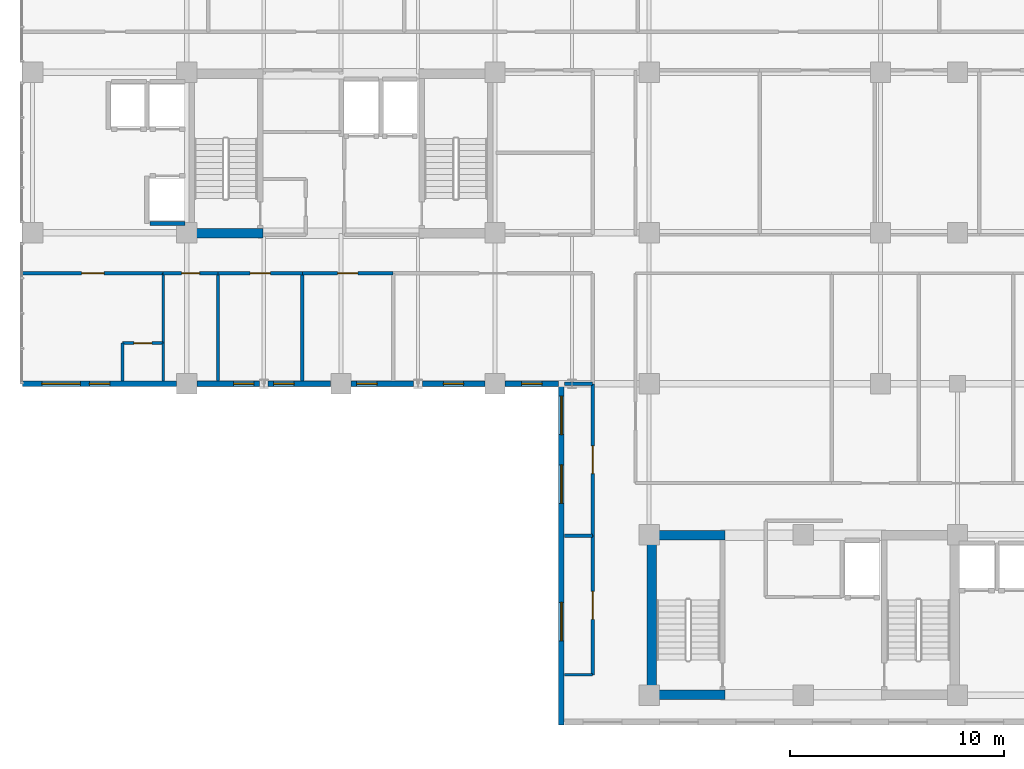
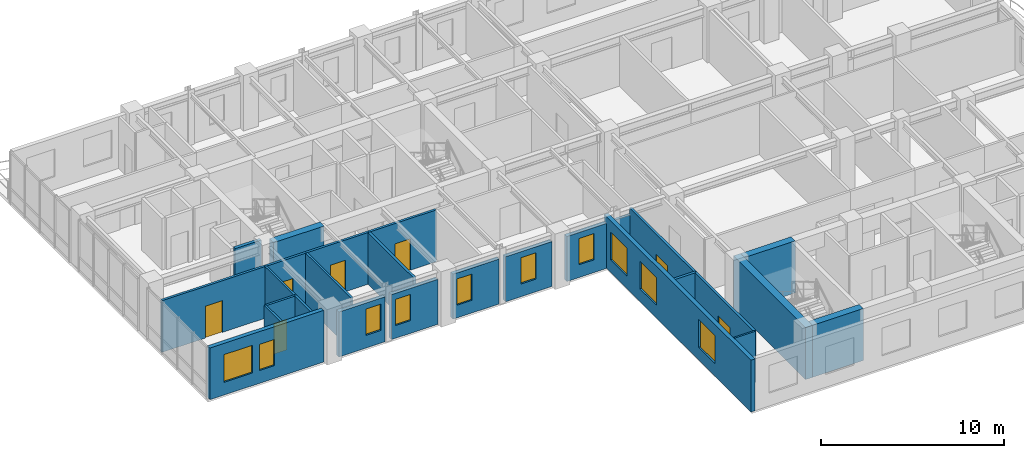
# One storey, part 12 of 20: 27 walls, 10 windows, 7 doors, 17 openings.
"""IFC4 building model written with IfcOpenShell, lengths in metres."""

from ifc_helpers import new_model, si_unit, direction, frame, frame_2d, origin, place, context, subcontext, project, spatial, rectangle, extrude, material, layer, layer_set, type_object, element, fill, save


model = new_model("IFC4")

# Units and contexts
model_context = context("Model", 3, precision=1e-05, world=origin(), true_north=direction((0.0, 1.0)))
body_context = subcontext(model_context, "Body", "Model", "MODEL_VIEW")
ifc_project = project(units=[si_unit("LENGTHUNIT", "METRE"), si_unit("AREAUNIT", "SQUARE_METRE"), si_unit("VOLUMEUNIT", "CUBIC_METRE"), si_unit("PLANEANGLEUNIT", "RADIAN"), si_unit("MASSUNIT", "GRAM", prefix="KILO")], contexts=[model_context])

# Site, building, storey
site_placement = place(None, origin())
site = spatial("IfcSite", under=ifc_project, at=site_placement, CompositionType="ELEMENT")
building_placement = place(site_placement, origin())
building = spatial("IfcBuilding", under=site, at=building_placement, Name="Kaliganga Portal Commons", CompositionType="ELEMENT")
storey_placement = place(building_placement, frame((0.0, 0.0, 201.800048828125)))
storey = spatial("IfcBuildingStorey", under=building, at=storey_placement, Name="L51", CompositionType="ELEMENT", Elevation=201.800048828125)

# Walls
ifc_material_1 = material(Name="Concrete C60/75", Category="concrete")
ifc_layer_1 = layer(ifc_material_1, 0.449951171875)
ifc_layer_set_1 = layer_set([ifc_layer_1], Name="Concrete C60/75")
wall_type_1 = type_object("IfcWallType", Name="WL-CORE-450", PredefinedType="SHEAR", material=ifc_layer_set_1)
wall_1_placement = place(storey_placement, frame((14.75, 28.625, 0.0), z_axis=(0.0, 0.0, 1.0), x_axis=(1.0, 0.0, 0.0)))
element("IfcWall", 1, at=wall_1_placement, inside=storey, type_object=wall_type_1, Name="Core A S-West Shear Wall L51", PredefinedType="SHEAR", context=body_context, shape_type="SweptSolid", body=[
    extrude(rectangle(XDim=3.199951171875, YDim=0.449951171875, at=frame_2d((1.60009765625, 0.0))), origin(), (0.0, 0.0, 1.0), 3.469970703125),
])
wall_2_placement = place(storey_placement, frame((36.125, 6.85009765625, 0.0), z_axis=(0.0, 0.0, 1.0), x_axis=(0.0, 1.0, 0.0)))
element("IfcWall", 2, at=wall_2_placement, inside=storey, type_object=wall_type_1, Name="Core B West Shear Wall L51", PredefinedType="SHEAR", context=body_context, shape_type="SweptSolid", body=[
    extrude(rectangle(XDim=7.89990234375, YDim=0.449951171875, at=frame_2d((3.949951171875, 0.0))), origin(), (0.0, 0.0, 1.0), 3.469970703125),
])
for number, where, z_axis, x_axis, name in (
    (3, (36.35009765625, 7.074951171875, 0.0), (0.0, 0.0, 1.0), (1.0, 0.0, 0.0), "Core B S-West Shear Wall L51"),
    (4, (36.35009765625, 14.52490234375, 0.0), (0.0, 0.0, 1.0), (1.0, 0.0, 0.0), "Core B N-West Shear Wall L51"),
):
    element("IfcWall", number, at=place(storey_placement, frame(where, z_axis=z_axis, x_axis=x_axis)), inside=storey, type_object=wall_type_1, Name=name, PredefinedType="SHEAR", context=body_context, shape_type="SweptSolid", body=[
        extrude(rectangle(XDim=3.199951171875, YDim=0.449951171875, at=frame_2d((1.60009765625, 0.0))), origin(), (0.0, 0.0, 1.0), 3.469970703125),
    ])

# Wall, openings, windows
ifc_material_2 = material(Name="Insulated Aluminium-Clad Spandrel Assembly", Category="aluminium")
ifc_layer_2 = layer(ifc_material_2, 0.260009765625)
ifc_layer_set_2 = layer_set([ifc_layer_2], Name="Insulated Aluminium-Clad Spandrel Assembly")
wall_type_2 = type_object("IfcWallType", Name="WL-EXT-SPAND-260", PredefinedType="STANDARD", material=ifc_layer_set_2)
wall_3_placement = place(storey_placement, frame((13.924072265625, 21.60009765625, 0.0), z_axis=(0.0, 0.0, 1.0), x_axis=(-1.0, 0.0, 0.0)))
wall_3 = element("IfcWall", 5, at=wall_3_placement, inside=storey, type_object=wall_type_2, Name="Exterior Envelope Wall L51 P1-E04-S1", PredefinedType="STANDARD", context=body_context, shape_type="SweptSolid", body=[
    extrude(rectangle(XDim=7.18701171875, YDim=0.260009765625, at=frame_2d((3.593505859375, 0.0))), origin(), (0.0, 0.0, 1.0), 3.449951171875),
])
opening_1_placement = place(wall_3_placement, frame((4.490234375, 0.0, 0.85009765625)))
opening_1 = element("IfcOpeningElement", 6, at=opening_1_placement, cuts=wall_3, Name="Opening W-01", PredefinedType="OPENING", context=body_context, shape_type="SweptSolid", body=[
    extrude(rectangle(XDim=1.800048828125, YDim=1.85009765625, at=frame_2d((0.89990234375, 0.925048828125))), frame((0.0, 0.14013671875, 0.0), z_axis=(0.0, -1.0, 0.0), x_axis=(1.0, 0.0, 0.0)), (0.0, 0.0, 1.0), 0.280029296875),
])
opening_2_placement = place(wall_3_placement, frame((3.118408203125, 0.0, 0.85009765625)))
opening_2 = element("IfcOpeningElement", 7, at=opening_2_placement, cuts=wall_3, Name="Opening W-04", PredefinedType="OPENING", context=body_context, shape_type="SweptSolid", body=[
    extrude(rectangle(XDim=0.949951171875, YDim=1.75, at=frame_2d((0.47509765625, 0.875))), frame((0.0, 0.14013671875, 0.0), z_axis=(0.0, -1.0, 0.0), x_axis=(1.0, 0.0, 0.0)), (0.0, 0.0, 1.0), 0.280029296875),
])
ifc_material_3 = material(Name="Thermally Broken Aluminium and Low-E Double Glazing", Category="aluminium")
window_type_1 = type_object("IfcWindowType", Name="WIN-NARROW-950", PartitioningType="SINGLE_PANEL", PredefinedType="WINDOW", material=ifc_material_3)
window_1_placement = place(opening_2_placement, origin())
window_1 = element("IfcWindow", 8, at=window_1_placement, inside=storey, type_object=window_type_1, Name="Facade Window L51-P1E04S1-N0", OverallHeight=1.75, OverallWidth=0.949951171875, PartitioningType="SINGLE_PANEL", PredefinedType="WINDOW", context=body_context, shape_type="SweptSolid", body=[
    extrude(rectangle(XDim=0.949951171875, YDim=1.75, at=frame_2d((0.47509765625, 0.875))), frame((0.0, 0.030029296875, 0.0), z_axis=(0.0, -1.0, 0.0), x_axis=(1.0, 0.0, 0.0)), (0.0, 0.0, 1.0), 0.06005859375),
])
fill(opening_2, window_1)
window_type_2 = type_object("IfcWindowType", Name="WIN-STD-1800", PartitioningType="DOUBLE_PANEL_VERTICAL", PredefinedType="WINDOW", material=ifc_material_3)
window_2_placement = place(opening_1_placement, origin())
window_2 = element("IfcWindow", 9, at=window_2_placement, inside=storey, type_object=window_type_2, Name="Facade Window L51-P1E04S1-01", OverallHeight=1.85009765625, OverallWidth=1.800048828125, PartitioningType="SINGLE_PANEL", PredefinedType="WINDOW", context=body_context, shape_type="SweptSolid", body=[
    extrude(rectangle(XDim=1.800048828125, YDim=1.85009765625, at=frame_2d((0.89990234375, 0.925048828125))), frame((0.0, 0.030029296875, 0.0), z_axis=(0.0, -1.0, 0.0), x_axis=(1.0, 0.0, 0.0)), (0.0, 0.0, 1.0), 0.06005859375),
])
fill(opening_1, window_2)

# Wall, opening, window
wall_4_placement = place(storey_placement, frame((17.799560546875, 21.60009765625, 0.0), z_axis=(0.0, 0.0, 1.0), x_axis=(-1.0, 0.0, 0.0)))
wall_4 = element("IfcWall", 10, at=wall_4_placement, inside=storey, type_object=wall_type_2, Name="Exterior Envelope Wall L51 P1-E04-S2", PredefinedType="STANDARD", context=body_context, shape_type="SweptSolid", body=[
    extrude(rectangle(XDim=2.923583984375, YDim=0.260009765625, at=frame_2d((1.4619140625, 0.0))), origin(), (0.0, 0.0, 1.0), 3.0),
])
opening_3_placement = place(wall_4_placement, frame((0.26171875, 0.0, 0.85009765625)))
opening_3 = element("IfcOpeningElement", 11, at=opening_3_placement, cuts=wall_4, Name="Opening W-04", PredefinedType="OPENING", context=body_context, shape_type="SweptSolid", body=[
    extrude(rectangle(XDim=0.949951171875, YDim=1.75, at=frame_2d((0.47509765625, 0.875))), frame((0.0, 0.14013671875, 0.0), z_axis=(0.0, -1.0, 0.0), x_axis=(1.0, 0.0, 0.0)), (0.0, 0.0, 1.0), 0.280029296875),
])
window_3_placement = place(opening_3_placement, origin())
window_3 = element("IfcWindow", 12, at=window_3_placement, inside=storey, type_object=window_type_1, Name="Facade Window L51-P1E04S2-N1", OverallHeight=1.75, OverallWidth=0.949951171875, PartitioningType="SINGLE_PANEL", PredefinedType="WINDOW", context=body_context, shape_type="SweptSolid", body=[
    extrude(rectangle(XDim=0.949951171875, YDim=1.75, at=frame_2d((0.47509765625, 0.875))), frame((0.0, 0.030029296875, 0.0), z_axis=(0.0, -1.0, 0.0), x_axis=(1.0, 0.0, 0.0)), (0.0, 0.0, 1.0), 0.06005859375),
])
fill(opening_3, window_3)

wall_5_placement = place(storey_placement, frame((21.1240234375, 21.60009765625, 0.0), z_axis=(0.0, 0.0, 1.0), x_axis=(-1.0, 0.0, 0.0)))
wall_5 = element("IfcWall", 13, at=wall_5_placement, inside=storey, type_object=wall_type_2, Name="Exterior Envelope Wall L51 P1-E04-S3", PredefinedType="STANDARD", context=body_context, shape_type="SweptSolid", body=[
    extrude(rectangle(XDim=2.923583984375, YDim=0.260009765625, at=frame_2d((1.4619140625, 0.0))), origin(), (0.0, 0.0, 1.0), 3.0),
])
opening_4_placement = place(wall_5_placement, frame((1.7119140625, 0.0, 0.85009765625)))
opening_4 = element("IfcOpeningElement", 14, at=opening_4_placement, cuts=wall_5, Name="Opening W-04", PredefinedType="OPENING", context=body_context, shape_type="SweptSolid", body=[
    extrude(rectangle(XDim=0.949951171875, YDim=1.75, at=frame_2d((0.47509765625, 0.875))), frame((0.0, 0.14013671875, 0.0), z_axis=(0.0, -1.0, 0.0), x_axis=(1.0, 0.0, 0.0)), (0.0, 0.0, 1.0), 0.280029296875),
])
window_4_placement = place(opening_4_placement, origin())
window_4 = element("IfcWindow", 15, at=window_4_placement, inside=storey, type_object=window_type_1, Name="Facade Window L51-P1E04S3-N2", OverallHeight=1.75, OverallWidth=0.949951171875, PartitioningType="SINGLE_PANEL", PredefinedType="WINDOW", context=body_context, shape_type="SweptSolid", body=[
    extrude(rectangle(XDim=0.949951171875, YDim=1.75, at=frame_2d((0.47509765625, 0.875))), frame((0.0, 0.030029296875, 0.0), z_axis=(0.0, -1.0, 0.0), x_axis=(1.0, 0.0, 0.0)), (0.0, 0.0, 1.0), 0.06005859375),
])
fill(opening_4, window_4)

wall_6_placement = place(storey_placement, frame((24.99951171875, 21.60009765625, 0.0), z_axis=(0.0, 0.0, 1.0), x_axis=(-1.0, 0.0, 0.0)))
wall_6 = element("IfcWall", 16, at=wall_6_placement, inside=storey, type_object=wall_type_2, Name="Exterior Envelope Wall L51 P1-E04-S4", PredefinedType="STANDARD", context=body_context, shape_type="SweptSolid", body=[
    extrude(rectangle(XDim=2.923583984375, YDim=0.260009765625, at=frame_2d((1.4619140625, 0.0))), origin(), (0.0, 0.0, 1.0), 3.0),
])
opening_5_placement = place(wall_6_placement, frame((1.7119140625, 0.0, 0.85009765625)))
opening_5 = element("IfcOpeningElement", 17, at=opening_5_placement, cuts=wall_6, Name="Opening W-04", PredefinedType="OPENING", context=body_context, shape_type="SweptSolid", body=[
    extrude(rectangle(XDim=0.949951171875, YDim=1.75, at=frame_2d((0.47509765625, 0.875))), frame((0.0, 0.14013671875, 0.0), z_axis=(0.0, -1.0, 0.0), x_axis=(1.0, 0.0, 0.0)), (0.0, 0.0, 1.0), 0.280029296875),
])
window_5_placement = place(opening_5_placement, origin())
window_5 = element("IfcWindow", 18, at=window_5_placement, inside=storey, type_object=window_type_1, Name="Facade Window L51-P1E04S4-N2", OverallHeight=1.75, OverallWidth=0.949951171875, PartitioningType="SINGLE_PANEL", PredefinedType="WINDOW", context=body_context, shape_type="SweptSolid", body=[
    extrude(rectangle(XDim=0.949951171875, YDim=1.75, at=frame_2d((0.47509765625, 0.875))), frame((0.0, 0.030029296875, 0.0), z_axis=(0.0, -1.0, 0.0), x_axis=(1.0, 0.0, 0.0)), (0.0, 0.0, 1.0), 0.06005859375),
])
fill(opening_5, window_5)

wall_7_placement = place(storey_placement, frame((28.323974609375, 21.60009765625, 0.0), z_axis=(0.0, 0.0, 1.0), x_axis=(-1.0, 0.0, 0.0)))
wall_7 = element("IfcWall", 19, at=wall_7_placement, inside=storey, type_object=wall_type_2, Name="Exterior Envelope Wall L51 P1-E04-S5", PredefinedType="STANDARD", context=body_context, shape_type="SweptSolid", body=[
    extrude(rectangle(XDim=2.923583984375, YDim=0.260009765625, at=frame_2d((1.4619140625, 0.0))), origin(), (0.0, 0.0, 1.0), 3.0),
])
opening_6_placement = place(wall_7_placement, frame((0.98681640625, 0.0, 0.85009765625)))
opening_6 = element("IfcOpeningElement", 20, at=opening_6_placement, cuts=wall_7, Name="Opening W-04", PredefinedType="OPENING", context=body_context, shape_type="SweptSolid", body=[
    extrude(rectangle(XDim=0.949951171875, YDim=1.75, at=frame_2d((0.47509765625, 0.875))), frame((0.0, 0.14013671875, 0.0), z_axis=(0.0, -1.0, 0.0), x_axis=(1.0, 0.0, 0.0)), (0.0, 0.0, 1.0), 0.280029296875),
])
window_6_placement = place(opening_6_placement, origin())
window_6 = element("IfcWindow", 21, at=window_6_placement, inside=storey, type_object=window_type_1, Name="Facade Window L51-P1E04S5-00", OverallHeight=1.75, OverallWidth=0.949951171875, PartitioningType="SINGLE_PANEL", PredefinedType="WINDOW", context=body_context, shape_type="SweptSolid", body=[
    extrude(rectangle(XDim=0.949951171875, YDim=1.75, at=frame_2d((0.47509765625, 0.875))), frame((0.0, 0.030029296875, 0.0), z_axis=(0.0, -1.0, 0.0), x_axis=(1.0, 0.0, 0.0)), (0.0, 0.0, 1.0), 0.06005859375),
])
fill(opening_6, window_6)

wall_8_placement = place(storey_placement, frame((31.764892578125, 21.60009765625, 0.0), z_axis=(0.0, 0.0, 1.0), x_axis=(-1.0, 0.0, 0.0)))
wall_8 = element("IfcWall", 22, at=wall_8_placement, inside=storey, type_object=wall_type_2, Name="Exterior Envelope Wall L51 P1-E04-S6", PredefinedType="STANDARD", context=body_context, shape_type="SweptSolid", body=[
    extrude(rectangle(XDim=2.489013671875, YDim=0.260009765625, at=frame_2d((1.24462890625, 0.0))), origin(), (0.0, 0.0, 1.0), 3.0),
])
opening_7_placement = place(wall_8_placement, frame((0.76953125, 0.0, 0.85009765625)))
opening_7 = element("IfcOpeningElement", 23, at=opening_7_placement, cuts=wall_8, Name="Opening W-04", PredefinedType="OPENING", context=body_context, shape_type="SweptSolid", body=[
    extrude(rectangle(XDim=0.949951171875, YDim=1.75, at=frame_2d((0.47509765625, 0.875))), frame((0.0, 0.14013671875, 0.0), z_axis=(0.0, -1.0, 0.0), x_axis=(1.0, 0.0, 0.0)), (0.0, 0.0, 1.0), 0.280029296875),
])
window_7_placement = place(opening_7_placement, origin())
window_7 = element("IfcWindow", 24, at=window_7_placement, inside=storey, type_object=window_type_1, Name="Facade Window L51-P1E04S6-00", OverallHeight=1.75, OverallWidth=0.949951171875, PartitioningType="SINGLE_PANEL", PredefinedType="WINDOW", context=body_context, shape_type="SweptSolid", body=[
    extrude(rectangle(XDim=0.949951171875, YDim=1.75, at=frame_2d((0.47509765625, 0.875))), frame((0.0, 0.030029296875, 0.0), z_axis=(0.0, -1.0, 0.0), x_axis=(1.0, 0.0, 0.0)), (0.0, 0.0, 1.0), 0.06005859375),
])
fill(opening_7, window_7)

# Wall, openings, windows
wall_9_placement = place(storey_placement, frame((31.89990234375, 5.669921875, 0.0), z_axis=(0.0, 0.0, 1.0), x_axis=(0.0, 1.0, 0.0)))
wall_9 = element("IfcWall", 25, at=wall_9_placement, inside=storey, type_object=wall_type_2, Name="Exterior Envelope Wall L51 P1-E05-S1", PredefinedType="STANDARD", context=body_context, shape_type="SweptSolid", body=[
    extrude(rectangle(XDim=16.06005859375, YDim=0.260009765625, at=frame_2d((8.030029296875, 0.0))), origin(), (0.0, 0.0, 1.0), 3.449951171875),
])
opening_8_placement = place(wall_9_placement, frame((3.91796875, 0.0, 0.85009765625)))
opening_8 = element("IfcOpeningElement", 26, at=opening_8_placement, cuts=wall_9, Name="Opening W-01", PredefinedType="OPENING", context=body_context, shape_type="SweptSolid", body=[
    extrude(rectangle(XDim=1.800048828125, YDim=1.85009765625, at=frame_2d((0.89990234375, 0.925048828125))), frame((0.0, 0.14013671875, 0.0), z_axis=(0.0, -1.0, 0.0), x_axis=(1.0, 0.0, 0.0)), (0.0, 0.0, 1.0), 0.280029296875),
])
opening_9_placement = place(wall_9_placement, frame((10.342041015625, 0.0, 0.85009765625)))
opening_9 = element("IfcOpeningElement", 27, at=opening_9_placement, cuts=wall_9, Name="Opening W-01", PredefinedType="OPENING", context=body_context, shape_type="SweptSolid", body=[
    extrude(rectangle(XDim=1.800048828125, YDim=1.85009765625, at=frame_2d((0.89990234375, 0.925048828125))), frame((0.0, 0.14013671875, 0.0), z_axis=(0.0, -1.0, 0.0), x_axis=(1.0, 0.0, 0.0)), (0.0, 0.0, 1.0), 0.280029296875),
])
opening_10_placement = place(wall_9_placement, frame((13.553955078125, 0.0, 0.85009765625)))
opening_10 = element("IfcOpeningElement", 28, at=opening_10_placement, cuts=wall_9, Name="Opening W-01", PredefinedType="OPENING", context=body_context, shape_type="SweptSolid", body=[
    extrude(rectangle(XDim=1.800048828125, YDim=1.85009765625, at=frame_2d((0.89990234375, 0.925048828125))), frame((0.0, 0.14013671875, 0.0), z_axis=(0.0, -1.0, 0.0), x_axis=(1.0, 0.0, 0.0)), (0.0, 0.0, 1.0), 0.280029296875),
])
window_8_placement = place(opening_8_placement, origin())
window_8 = element("IfcWindow", 29, at=window_8_placement, inside=storey, type_object=window_type_2, Name="Facade Window L51-P1E05S1-01", OverallHeight=1.85009765625, OverallWidth=1.800048828125, PartitioningType="SINGLE_PANEL", PredefinedType="WINDOW", context=body_context, shape_type="SweptSolid", body=[
    extrude(rectangle(XDim=1.800048828125, YDim=1.85009765625, at=frame_2d((0.89990234375, 0.925048828125))), frame((0.0, 0.030029296875, 0.0), z_axis=(0.0, -1.0, 0.0), x_axis=(1.0, 0.0, 0.0)), (0.0, 0.0, 1.0), 0.06005859375),
])
fill(opening_8, window_8)
window_9_placement = place(opening_9_placement, origin())
window_9 = element("IfcWindow", 30, at=window_9_placement, inside=storey, type_object=window_type_2, Name="Facade Window L51-P1E05S1-03", OverallHeight=1.85009765625, OverallWidth=1.800048828125, PartitioningType="SINGLE_PANEL", PredefinedType="WINDOW", context=body_context, shape_type="SweptSolid", body=[
    extrude(rectangle(XDim=1.800048828125, YDim=1.85009765625, at=frame_2d((0.89990234375, 0.925048828125))), frame((0.0, 0.030029296875, 0.0), z_axis=(0.0, -1.0, 0.0), x_axis=(1.0, 0.0, 0.0)), (0.0, 0.0, 1.0), 0.06005859375),
])
fill(opening_9, window_9)
window_10_placement = place(opening_10_placement, origin())
window_10 = element("IfcWindow", 31, at=window_10_placement, inside=storey, type_object=window_type_2, Name="Facade Window L51-P1E05S1-04", OverallHeight=1.85009765625, OverallWidth=1.800048828125, PartitioningType="SINGLE_PANEL", PredefinedType="WINDOW", context=body_context, shape_type="SweptSolid", body=[
    extrude(rectangle(XDim=1.800048828125, YDim=1.85009765625, at=frame_2d((0.89990234375, 0.925048828125))), frame((0.0, 0.030029296875, 0.0), z_axis=(0.0, -1.0, 0.0), x_axis=(1.0, 0.0, 0.0)), (0.0, 0.0, 1.0), 0.06005859375),
])
fill(opening_10, window_10)

# Wall, opening, door
ifc_material_4 = material(Name="Fire-Rated Gypsum Board on Steel Stud", Category="steel")
ifc_layer_3 = layer(ifc_material_4, 0.14990234375)
ifc_layer_set_3 = layer_set([ifc_layer_3], Name="Fire-Rated Gypsum Board on Steel Stud")
wall_type_3 = type_object("IfcWallType", Name="WL-PART-CORR-150", PredefinedType="PARTITIONING", material=ifc_layer_set_3)
wall_10_placement = place(storey_placement, frame((33.360107421875, 14.5, 0.0), z_axis=(0.0, 0.0, 1.0), x_axis=(0.0, 1.0, 0.0)))
wall_10 = element("IfcWall", 32, at=wall_10_placement, inside=storey, type_object=wall_type_3, Name="Interior Partition L51-019", PredefinedType="PARTITIONING", context=body_context, shape_type="SweptSolid", body=[
    extrude(rectangle(XDim=7.10009765625, YDim=0.14990234375, at=frame_2d((3.550048828125, 0.0))), origin(), (0.0, 0.0, 1.0), 3.449951171875),
])
opening_11_placement = place(wall_10_placement, frame((2.89990234375, 0.0, 0.0)))
opening_11 = element("IfcOpeningElement", 33, at=opening_11_placement, cuts=wall_10, Name="Opening RD-03", PredefinedType="OPENING", context=body_context, shape_type="SweptSolid", body=[
    extrude(rectangle(XDim=1.300048828125, YDim=2.1201171875, at=frame_2d((0.64990234375, 1.06005859375))), frame((0.0, 0.0849609375, 0.0), z_axis=(0.0, -1.0, 0.0), x_axis=(1.0, 0.0, 0.0)), (0.0, 0.0, 1.0), 0.169921875),
])
ifc_material_5 = material(Name="Glazed Timber Seminar Vision Door", Category="wood")
door_type_1 = type_object("IfcDoorType", Name="DR-STUDY-1300", OperationType="DOUBLE_DOOR_SINGLE_SWING", PredefinedType="DOOR", material=ifc_material_5)
door_1_placement = place(opening_11_placement, origin())
door_1 = element("IfcDoor", 34, at=door_1_placement, inside=storey, type_object=door_type_1, Name="Interior Door L51-KW02", OperationType="DOUBLE_DOOR_SINGLE_SWING", OverallHeight=2.1201171875, OverallWidth=1.300048828125, PredefinedType="DOOR", context=body_context, shape_type="SweptSolid", body=[
    extrude(rectangle(XDim=1.300048828125, YDim=2.1201171875, at=frame_2d((0.64990234375, 1.06005859375))), frame((0.0, 0.02490234375, 0.0), z_axis=(0.0, -1.0, 0.0), x_axis=(1.0, 0.0, 0.0)), (0.0, 0.0, 1.0), 0.050048828125),
])
fill(opening_11, door_1)

wall_11_placement = place(storey_placement, frame((6.719970703125, 26.760009765625, 0.0), z_axis=(0.0, 0.0, 1.0), x_axis=(1.0, 0.0, 0.0)))
wall_11 = element("IfcWall", 35, at=wall_11_placement, inside=storey, type_object=wall_type_3, Name="Interior Partition L51-020", PredefinedType="PARTITIONING", context=body_context, shape_type="SweptSolid", body=[
    extrude(rectangle(XDim=6.580078125, YDim=0.14990234375, at=frame_2d((3.2900390625, 0.0))), origin(), (0.0, 0.0, 1.0), 3.449951171875),
])
opening_12_placement = place(wall_11_placement, frame((2.764892578125, 0.0, 0.0)))
opening_12 = element("IfcOpeningElement", 36, at=opening_12_placement, cuts=wall_11, Name="Opening UD-02", PredefinedType="OPENING", context=body_context, shape_type="SweptSolid", body=[
    extrude(rectangle(XDim=1.050048828125, YDim=2.1201171875, at=frame_2d((0.52490234375, 1.06005859375))), frame((0.0, 0.0849609375, 0.0), z_axis=(0.0, -1.0, 0.0), x_axis=(1.0, 0.0, 0.0)), (0.0, 0.0, 1.0), 0.169921875),
])
ifc_material_6 = material(Name="Accessible Wide-Leaf Acoustic Fire Door", Category="wood")
door_type_2 = type_object("IfcDoorType", Name="DR-ACC-1050", OperationType="NOTDEFINED", PredefinedType="DOOR", material=ifc_material_6)
door_2_placement = place(opening_12_placement, origin())
door_2 = element("IfcDoor", 37, at=door_2_placement, inside=storey, type_object=door_type_2, Name="Interior Door L51-AS01", OperationType="SINGLE_SWING_LEFT", OverallHeight=2.1201171875, OverallWidth=1.050048828125, PredefinedType="DOOR", context=body_context, shape_type="SweptSolid", body=[
    extrude(rectangle(XDim=1.050048828125, YDim=2.1201171875, at=frame_2d((0.52490234375, 1.06005859375))), frame((0.0, 0.02490234375, 0.0), z_axis=(0.0, -1.0, 0.0), x_axis=(1.0, 0.0, 0.0)), (0.0, 0.0, 1.0), 0.050048828125),
])
fill(opening_12, door_2)

wall_12_placement = place(storey_placement, frame((33.360107421875, 8.0, 0.0), z_axis=(0.0, 0.0, 1.0), x_axis=(0.0, 1.0, 0.0)))
wall_12 = element("IfcWall", 38, at=wall_12_placement, inside=storey, type_object=wall_type_3, Name="Interior Partition L51-021", PredefinedType="PARTITIONING", context=body_context, shape_type="SweptSolid", body=[
    extrude(rectangle(XDim=6.5, YDim=0.14990234375, at=frame_2d((3.25, 0.0))), origin(), (0.0, 0.0, 1.0), 3.449951171875),
])
opening_13_placement = place(wall_12_placement, frame((2.60009765625, 0.0, 0.0)))
opening_13 = element("IfcOpeningElement", 39, at=opening_13_placement, cuts=wall_12, Name="Opening RD-03", PredefinedType="OPENING", context=body_context, shape_type="SweptSolid", body=[
    extrude(rectangle(XDim=1.300048828125, YDim=2.1201171875, at=frame_2d((0.64990234375, 1.06005859375))), frame((0.0, 0.0849609375, 0.0), z_axis=(0.0, -1.0, 0.0), x_axis=(1.0, 0.0, 0.0)), (0.0, 0.0, 1.0), 0.169921875),
])
door_3_placement = place(opening_13_placement, origin())
door_3 = element("IfcDoor", 40, at=door_3_placement, inside=storey, type_object=door_type_1, Name="Interior Door L51-KW01", OperationType="DOUBLE_DOOR_SINGLE_SWING", OverallHeight=2.1201171875, OverallWidth=1.300048828125, PredefinedType="DOOR", context=body_context, shape_type="SweptSolid", body=[
    extrude(rectangle(XDim=1.300048828125, YDim=2.1201171875, at=frame_2d((0.64990234375, 1.06005859375))), frame((0.0, 0.02490234375, 0.0), z_axis=(0.0, -1.0, 0.0), x_axis=(1.0, 0.0, 0.0)), (0.0, 0.0, 1.0), 0.050048828125),
])
fill(opening_13, door_3)

wall_13_placement = place(storey_placement, frame((19.800048828125, 26.760009765625, 0.0), z_axis=(0.0, 0.0, 1.0), x_axis=(1.0, 0.0, 0.0)))
wall_13 = element("IfcWall", 41, at=wall_13_placement, inside=storey, type_object=wall_type_3, Name="Interior Partition L51-030", PredefinedType="PARTITIONING", context=body_context, shape_type="SweptSolid", body=[
    extrude(rectangle(XDim=4.239990234375, YDim=0.14990234375, at=frame_2d((2.1201171875, 0.0))), origin(), (0.0, 0.0, 1.0), 3.449951171875),
])
opening_14_placement = place(wall_13_placement, frame((1.64501953125, 0.0, 0.0)))
opening_14 = element("IfcOpeningElement", 42, at=opening_14_placement, cuts=wall_13, Name="Opening UD-01", PredefinedType="OPENING", context=body_context, shape_type="SweptSolid", body=[
    extrude(rectangle(XDim=0.949951171875, YDim=2.10009765625, at=frame_2d((0.47509765625, 1.050048828125))), frame((0.0, 0.0849609375, 0.0), z_axis=(0.0, -1.0, 0.0), x_axis=(1.0, 0.0, 0.0)), (0.0, 0.0, 1.0), 0.169921875),
])
ifc_material_7 = material(Name="Solid-Core Timber Acoustic Fire Door", Category="wood")
door_type_3 = type_object("IfcDoorType", Name="DR-UNIT-950", OperationType="NOTDEFINED", PredefinedType="DOOR", material=ifc_material_7)
door_4_placement = place(opening_14_placement, origin())
door_4 = element("IfcDoor", 43, at=door_4_placement, inside=storey, type_object=door_type_3, Name="Interior Door L51-AS04", OperationType="SINGLE_SWING_RIGHT", OverallHeight=2.10009765625, OverallWidth=0.949951171875, PredefinedType="DOOR", context=body_context, shape_type="SweptSolid", body=[
    extrude(rectangle(XDim=0.949951171875, YDim=2.10009765625, at=frame_2d((0.47509765625, 1.050048828125))), frame((0.0, 0.02490234375, 0.0), z_axis=(0.0, -1.0, 0.0), x_axis=(1.0, 0.0, 0.0)), (0.0, 0.0, 1.0), 0.050048828125),
])
fill(opening_14, door_4)

wall_14_placement = place(storey_placement, frame((15.860107421875, 26.760009765625, 0.0), z_axis=(0.0, 0.0, 1.0), x_axis=(1.0, 0.0, 0.0)))
wall_14 = element("IfcWall", 44, at=wall_14_placement, inside=storey, type_object=wall_type_3, Name="Interior Partition L51-032", PredefinedType="PARTITIONING", context=body_context, shape_type="SweptSolid", body=[
    extrude(rectangle(XDim=3.93994140625, YDim=0.14990234375, at=frame_2d((1.969970703125, 0.0))), origin(), (0.0, 0.0, 1.0), 3.449951171875),
])
opening_15_placement = place(wall_14_placement, frame((1.4951171875, 0.0, 0.0)))
opening_15 = element("IfcOpeningElement", 45, at=opening_15_placement, cuts=wall_14, Name="Opening UD-01", PredefinedType="OPENING", context=body_context, shape_type="SweptSolid", body=[
    extrude(rectangle(XDim=0.949951171875, YDim=2.10009765625, at=frame_2d((0.47509765625, 1.050048828125))), frame((0.0, 0.0849609375, 0.0), z_axis=(0.0, -1.0, 0.0), x_axis=(1.0, 0.0, 0.0)), (0.0, 0.0, 1.0), 0.169921875),
])
door_5_placement = place(opening_15_placement, origin())
door_5 = element("IfcDoor", 46, at=door_5_placement, inside=storey, type_object=door_type_3, Name="Interior Door L51-AS03", OperationType="SINGLE_SWING_RIGHT", OverallHeight=2.10009765625, OverallWidth=0.949951171875, PredefinedType="DOOR", context=body_context, shape_type="SweptSolid", body=[
    extrude(rectangle(XDim=0.949951171875, YDim=2.10009765625, at=frame_2d((0.47509765625, 1.050048828125))), frame((0.0, 0.02490234375, 0.0), z_axis=(0.0, -1.0, 0.0), x_axis=(1.0, 0.0, 0.0)), (0.0, 0.0, 1.0), 0.050048828125),
])
fill(opening_15, door_5)

wall_15_placement = place(storey_placement, frame((13.300048828125, 26.760009765625, 0.0), z_axis=(0.0, 0.0, 1.0), x_axis=(1.0, 0.0, 0.0)))
wall_15 = element("IfcWall", 47, at=wall_15_placement, inside=storey, type_object=wall_type_3, Name="Interior Partition L51-040", PredefinedType="PARTITIONING", context=body_context, shape_type="SweptSolid", body=[
    extrude(rectangle(XDim=2.56005859375, YDim=0.14990234375, at=frame_2d((1.280029296875, 0.0))), origin(), (0.0, 0.0, 1.0), 3.449951171875),
])
opening_16_placement = place(wall_15_placement, frame((0.85498046875, 0.0, 0.0)))
opening_16 = element("IfcOpeningElement", 48, at=opening_16_placement, cuts=wall_15, Name="Opening WD-01", PredefinedType="OPENING", context=body_context, shape_type="SweptSolid", body=[
    extrude(rectangle(XDim=0.85009765625, YDim=2.0400390625, at=frame_2d((0.425048828125, 1.02001953125))), frame((0.0, 0.0849609375, 0.0), z_axis=(0.0, -1.0, 0.0), x_axis=(1.0, 0.0, 0.0)), (0.0, 0.0, 1.0), 0.169921875),
])
ifc_material_8 = material(Name="Moisture-Resistant Laminate Timber Door", Category="wood")
door_type_4 = type_object("IfcDoorType", Name="DR-WET-850", OperationType="NOTDEFINED", PredefinedType="DOOR", material=ifc_material_8)
door_6_placement = place(opening_16_placement, origin())
door_6 = element("IfcDoor", 49, at=door_6_placement, inside=storey, type_object=door_type_4, Name="Interior Door L51-AS02", OperationType="SINGLE_SWING_RIGHT", OverallHeight=2.0400390625, OverallWidth=0.85009765625, PredefinedType="DOOR", context=body_context, shape_type="SweptSolid", body=[
    extrude(rectangle(XDim=0.85009765625, YDim=2.0400390625, at=frame_2d((0.425048828125, 1.02001953125))), frame((0.0, 0.02490234375, 0.0), z_axis=(0.0, -1.0, 0.0), x_axis=(1.0, 0.0, 0.0)), (0.0, 0.0, 1.0), 0.050048828125),
])
fill(opening_16, door_6)

# Walls
ifc_material_9 = material(Name="Moisture-Resistant Gypsum Partition", Category="gypsum")
ifc_layer_4 = layer(ifc_material_9, 0.114990234375)
ifc_layer_set_4 = layer_set([ifc_layer_4], Name="Moisture-Resistant Gypsum Partition")
wall_type_4 = type_object("IfcWallType", Name="WL-PART-ROOM-115", PredefinedType="PARTITIONING", material=ifc_layer_set_4)
wall_16_placement = place(storey_placement, frame((32.031982421875, 8.0, 0.0), z_axis=(0.0, 0.0, 1.0), x_axis=(1.0, 0.0, 0.0)))
element("IfcWall", 50, at=wall_16_placement, inside=storey, type_object=wall_type_4, Name="Interior Partition L51-074", PredefinedType="PARTITIONING", context=body_context, shape_type="SweptSolid", body=[
    extrude(rectangle(XDim=1.328125, YDim=0.114990234375, at=frame_2d((0.6640625, 0.0))), origin(), (0.0, 0.0, 1.0), 3.449951171875),
])
ifc_material_10 = material(Name="Twin-Stud Acoustic Gypsum Partition", Category="gypsum")
ifc_layer_5 = layer(ifc_material_10, 0.1650390625)
ifc_layer_set_5 = layer_set([ifc_layer_5], Name="Twin-Stud Acoustic Gypsum Partition")
wall_type_5 = type_object("IfcWallType", Name="WL-PART-UNIT-165", PredefinedType="PARTITIONING", material=ifc_layer_set_5)
wall_17_placement = place(storey_placement, frame((19.800048828125, 21.73193359375, 0.0), z_axis=(0.0, 0.0, 1.0), x_axis=(0.0, 1.0, 0.0)))
element("IfcWall", 51, at=wall_17_placement, inside=storey, type_object=wall_type_5, Name="Interior Partition L51-063", PredefinedType="PARTITIONING", context=body_context, shape_type="SweptSolid", body=[
    extrude(rectangle(XDim=5.028076171875, YDim=0.1650390625, at=frame_2d((2.51416015625, 0.0))), origin(), (0.0, 0.0, 1.0), 3.449951171875),
])
wall_18_placement = place(storey_placement, frame((32.031982421875, 14.5, 0.0), z_axis=(0.0, 0.0, 1.0), x_axis=(1.0, 0.0, 0.0)))
element("IfcWall", 52, at=wall_18_placement, inside=storey, type_object=wall_type_5, Name="Interior Partition L51-075", PredefinedType="PARTITIONING", context=body_context, shape_type="SweptSolid", body=[
    extrude(rectangle(XDim=1.328125, YDim=0.1650390625, at=frame_2d((0.6640625, 0.0))), origin(), (0.0, 0.0, 1.0), 3.449951171875),
])
wall_19_placement = place(storey_placement, frame((32.031982421875, 21.60009765625, 0.0), z_axis=(0.0, 0.0, 1.0), x_axis=(1.0, 0.0, 0.0)))
element("IfcWall", 53, at=wall_19_placement, inside=storey, type_object=wall_type_5, Name="Interior Partition L51-076", PredefinedType="PARTITIONING", context=body_context, shape_type="SweptSolid", body=[
    extrude(rectangle(XDim=1.328125, YDim=0.1650390625, at=frame_2d((0.6640625, 0.0))), origin(), (0.0, 0.0, 1.0), 3.0),
])

# Wall, opening, door
ifc_material_11 = material(Name="Cement-Board Wet-Room Partition", Category="gypsum")
ifc_layer_6 = layer(ifc_material_11, 0.135009765625)
ifc_layer_set_6 = layer_set([ifc_layer_6], Name="Cement-Board Wet-Room Partition")
wall_type_6 = type_object("IfcWallType", Name="WL-PART-WET-135", PredefinedType="PARTITIONING", material=ifc_layer_set_6)
wall_20_placement = place(storey_placement, frame((11.39990234375, 23.5, 0.0), z_axis=(0.0, 0.0, 1.0), x_axis=(1.0, 0.0, 0.0)))
wall_20 = element("IfcWall", 54, at=wall_20_placement, inside=storey, type_object=wall_type_6, Name="Interior Partition L51-003", PredefinedType="PARTITIONING", context=body_context, shape_type="SweptSolid", body=[
    extrude(rectangle(XDim=1.900146484375, YDim=0.135009765625, at=frame_2d((0.9501953125, 0.0))), origin(), (0.0, 0.0, 1.0), 3.449951171875),
])
opening_17_placement = place(wall_20_placement, frame((0.52490234375, 0.0, 0.0)))
opening_17 = element("IfcOpeningElement", 55, at=opening_17_placement, cuts=wall_20, Name="Opening WD-01", PredefinedType="OPENING", context=body_context, shape_type="SweptSolid", body=[
    extrude(rectangle(XDim=0.85009765625, YDim=2.0400390625, at=frame_2d((0.425048828125, 1.02001953125))), frame((0.0, 0.07763671875, 0.0), z_axis=(0.0, -1.0, 0.0), x_axis=(1.0, 0.0, 0.0)), (0.0, 0.0, 1.0), 0.155029296875),
])
door_7_placement = place(opening_17_placement, origin())
door_7 = element("IfcDoor", 56, at=door_7_placement, inside=storey, type_object=door_type_4, Name="Interior Door L51-AS01E", OperationType="SINGLE_SWING_LEFT", OverallHeight=2.0400390625, OverallWidth=0.85009765625, PredefinedType="DOOR", context=body_context, shape_type="SweptSolid", body=[
    extrude(rectangle(XDim=0.85009765625, YDim=2.0400390625, at=frame_2d((0.425048828125, 1.02001953125))), frame((0.0, 0.02490234375, 0.0), z_axis=(0.0, -1.0, 0.0), x_axis=(1.0, 0.0, 0.0)), (0.0, 0.0, 1.0), 0.050048828125),
])
fill(opening_17, door_7)

# Walls
for number, where, z_axis, x_axis, name in (
    (57, (11.39990234375, 21.73193359375, 0.0), (0.0, 0.0, 1.0), (0.0, 1.0, 0.0), "Interior Partition L51-005"),
    (58, (13.300048828125, 21.73193359375, 0.0), (0.0, 0.0, 1.0), (0.0, 1.0, 0.0), "Interior Partition L51-006"),
):
    element("IfcWall", number, at=place(storey_placement, frame(where, z_axis=z_axis, x_axis=x_axis)), inside=storey, type_object=wall_type_6, Name=name, PredefinedType="PARTITIONING", context=body_context, shape_type="SweptSolid", body=[
        extrude(rectangle(XDim=1.76806640625, YDim=0.135009765625, at=frame_2d((0.884033203125, 0.0))), origin(), (0.0, 0.0, 1.0), 3.449951171875),
    ])
wall_21_placement = place(storey_placement, frame((15.860107421875, 21.73193359375, 0.0), z_axis=(0.0, 0.0, 1.0), x_axis=(0.0, 1.0, 0.0)))
element("IfcWall", 59, at=wall_21_placement, inside=storey, type_object=wall_type_6, Name="Interior Partition L51-062", PredefinedType="PARTITIONING", context=body_context, shape_type="SweptSolid", body=[
    extrude(rectangle(XDim=5.028076171875, YDim=0.135009765625, at=frame_2d((2.51416015625, 0.0))), origin(), (0.0, 0.0, 1.0), 3.449951171875),
])
wall_22_placement = place(storey_placement, frame((13.300048828125, 23.5, 0.0), z_axis=(0.0, 0.0, 1.0), x_axis=(0.0, 1.0, 0.0)))
element("IfcWall", 60, at=wall_22_placement, inside=storey, type_object=wall_type_6, Name="Interior Partition L51-072", PredefinedType="PARTITIONING", context=body_context, shape_type="SweptSolid", body=[
    extrude(rectangle(XDim=3.260009765625, YDim=0.135009765625, at=frame_2d((1.6298828125, 0.0))), origin(), (0.0, 0.0, 1.0), 3.449951171875),
])
ifc_material_12 = material(Name="Fire-Rated Shaftwall Masonry Assembly", Category="masonry")
ifc_layer_7 = layer(ifc_material_12, 0.199951171875)
ifc_layer_set_7 = layer_set([ifc_layer_7], Name="Fire-Rated Shaftwall Masonry Assembly")
wall_type_7 = type_object("IfcWallType", Name="WL-SHAFT-200", PredefinedType="PARTITIONING", material=ifc_layer_set_7)
wall_23_placement = place(storey_placement, frame((12.675048828125, 29.0849609375, 0.0), z_axis=(0.0, 0.0, 1.0), x_axis=(1.0, 0.0, 0.0)))
element("IfcWall", 61, at=wall_23_placement, inside=storey, type_object=wall_type_7, Name="Lift PL-A4 Hoistway Shaft Wall L51-S", PredefinedType="PARTITIONING", context=body_context, shape_type="SweptSolid", body=[
    extrude(rectangle(XDim=1.64990234375, YDim=0.199951171875, at=frame_2d((0.824951171875, 0.0))), origin(), (0.0, 0.0, 1.0), 3.449951171875),
])

save(model, "model.ifc")
